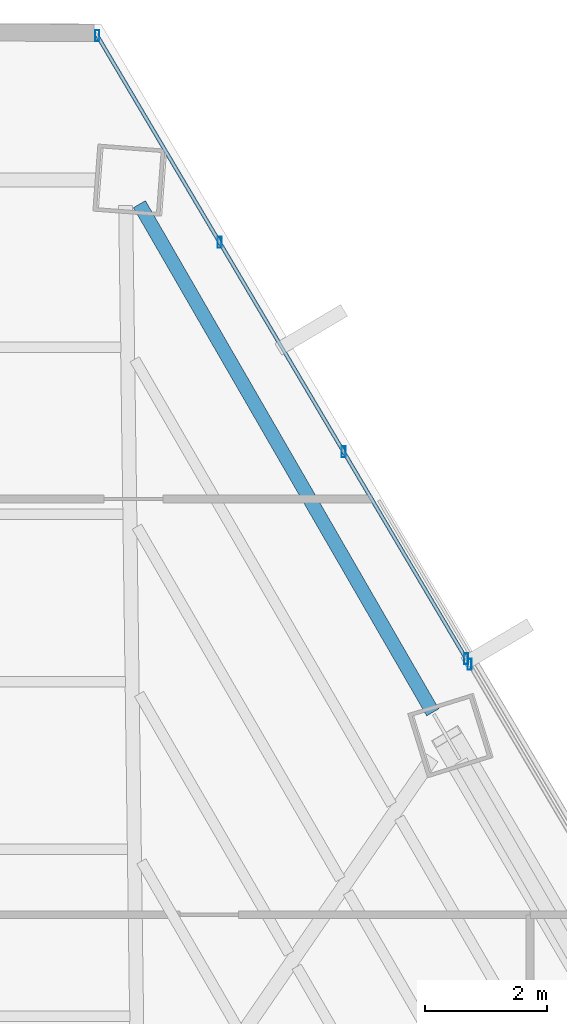
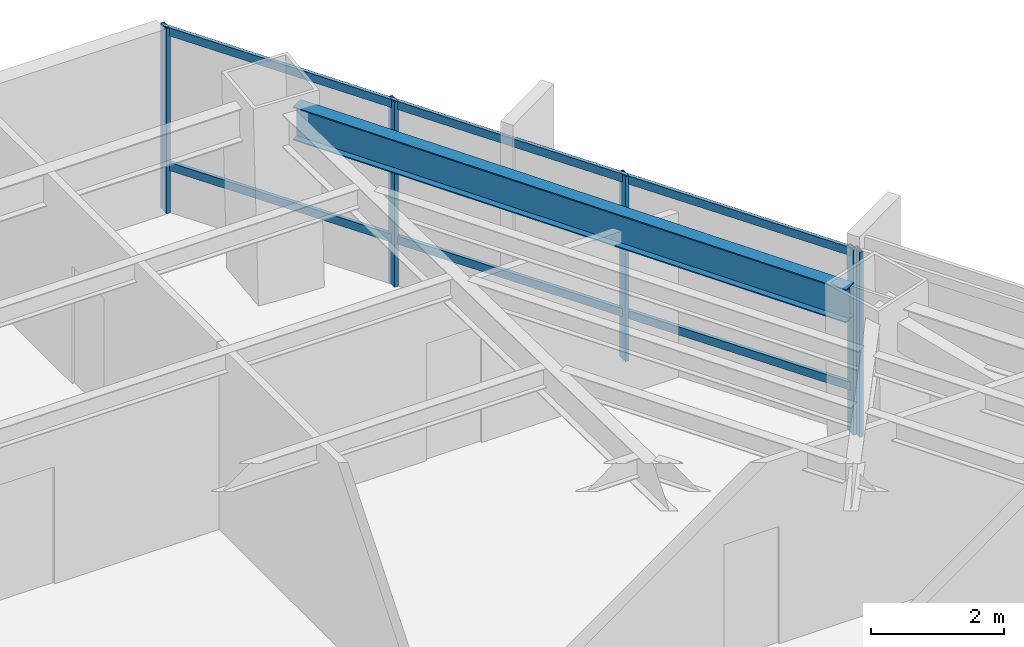
# One storey, part 27 of 35: 7 members, 1 beam, 2 elements without a shape of their own.
"""IFC4 building model written with IfcOpenShell, lengths in metres."""

from ifc_helpers import new_model, si_unit, direction, frame, origin, origin_2d, place, context, subcontext, project, spatial, hollow_rectangle, i_section, extrude, source, transform, mapped, material, material_profile, profile_set, type_object, type_shapes, element, aggregate, save


model = new_model("IFC4")

# Units and contexts
model_context = context("Model", 3, precision=1e-05, world=origin(), true_north=direction((0.0, 1.0)))
body_context = subcontext(model_context, "Body", "Model", "MODEL_VIEW")
ifc_project = project(units=[si_unit("LENGTHUNIT", "METRE"), si_unit("AREAUNIT", "SQUARE_METRE"), si_unit("VOLUMEUNIT", "CUBIC_METRE"), si_unit("PLANEANGLEUNIT", "RADIAN"), si_unit("MASSUNIT", "GRAM", prefix="KILO")], contexts=[model_context])

# Site, building, storey
site_placement = place(None, origin())
site = spatial("IfcSite", under=ifc_project, at=site_placement, CompositionType="ELEMENT")
building_placement = place(site_placement, origin())
building = spatial("IfcBuilding", under=site, at=building_placement, Name="Caelisora Broadcast Tower", CompositionType="ELEMENT")
storey_placement = place(building_placement, frame((0.0, 0.0, 109.050048828125)))
storey = spatial("IfcBuildingStorey", under=building, at=storey_placement, Name="L28", CompositionType="ELEMENT", Elevation=109.050048828125)

# Beam
ifc_material_1 = material(Name="Steel Grade 350 (AS/NZS 3679.1)", Category="steel")
ifc_material_profile_1 = material_profile(ifc_material_1, i_section(OverallWidth=0.22900390625, OverallDepth=0.611572265625, WebThickness=0.011962890625, FlangeThickness=0.01953125, at=origin_2d()), Name="Steel Grade 350 (AS/NZS 3679.1)")
ifc_profile_set_1 = profile_set([ifc_material_profile_1], Name="Steel Grade 350 (AS/NZS 3679.1)")
beam_type = type_object("IfcBeamType", Name="PG03", PredefinedType="BEAM", material=ifc_profile_set_1)
shared_shape_1 = source(origin(), body_context, "Body", "SweptSolid", [
    extrude(i_section(OverallWidth=0.22900390625, OverallDepth=0.611572265625, WebThickness=0.011962890625, FlangeThickness=0.01953125, at=origin_2d()), origin(), (0.0, 0.0, 1.0), 9.598876953125),
])
type_shapes(beam_type, [shared_shape_1])
beam_placement = place(storey_placement, frame((50.30810546875, 37.71044921875, 3.09423828125), z_axis=(-0.499985184529, 0.866033957331, 0.0), x_axis=(-0.866033957331, -0.499985184529, 0.0)))
element("IfcBeam", 1, at=beam_placement, inside=storey, type_object=beam_type, Name="L28 beam PG03", PredefinedType="BEAM", context=body_context, shape_type="MappedRepresentation", body=[
    mapped(shared_shape_1, transform((0.0, 0.0, 0.0), scale=1.0)),
])

# Curtain wall, members
ifc_material_2 = material(Name="Unitised Aluminium and Low-E Glass Curtain Wall", Category="glass")
curtain_wall_type_1 = type_object("IfcCurtainWallType", Name="CW-Z2", PredefinedType="NOTDEFINED", material=ifc_material_2)
curtain_wall_1_placement = place(storey_placement, origin())
curtain_wall_1 = element("IfcCurtainWall", 2, at=curtain_wall_1_placement, inside=storey, type_object=curtain_wall_type_1, Name="L28 curtain wall CW-Z2", PredefinedType="NOTDEFINED")
ifc_material_3 = material(Name="Aluminium 6063-T6 Anodised Terracotta Bronze", Category="aluminium")
ifc_material_profile_2 = material_profile(ifc_material_3, hollow_rectangle(XDim=0.06494140625, YDim=0.179931640625, WallThickness=0.00341796875, at=origin_2d()), Name="Aluminium 6063-T6 Anodised Terracotta Bronze")
ifc_profile_set_2 = profile_set([ifc_material_profile_2], Name="Aluminium 6063-T6 Anodised Terracotta Bronze")
member_type_1 = type_object("IfcMemberType", Name="CWM-02", PredefinedType="MULLION", material=ifc_profile_set_2)
shared_shape_2 = source(origin(), body_context, "Body", "SweptSolid", [
    extrude(hollow_rectangle(XDim=0.06494140625, YDim=0.179931640625, WallThickness=0.00341796875, at=origin_2d()), origin(), (0.0, 0.0, 1.0), 3.39990234375),
])
type_shapes(member_type_1, [shared_shape_2])
member_1_placement = place(storey_placement, frame((44.819580078125, 48.780029296875, 0.0), z_axis=(0.0, 0.0, 1.0), x_axis=(1.0, 0.0, 0.0)))
member_1 = element("IfcMember", 3, at=member_1_placement, type_object=member_type_1, Name="L28-CW-B01 mullion #0", PredefinedType="MULLION", context=body_context, shape_type="MappedRepresentation", body=[
    mapped(shared_shape_2, transform((0.0, 0.0, 0.0), scale=1.0)),
])
member_2_placement = place(storey_placement, frame((46.822509765625, 45.397216796875, 0.0), z_axis=(0.0, 0.0, 1.0), x_axis=(1.0, 0.0, 0.0)))
member_2 = element("IfcMember", 4, at=member_2_placement, type_object=member_type_1, Name="L28-CW-B01 mullion #1", PredefinedType="MULLION", context=body_context, shape_type="MappedRepresentation", body=[
    mapped(shared_shape_2, transform((0.0, 0.0, 0.0), scale=1.0)),
])
member_3_placement = place(storey_placement, frame((48.8505859375, 41.971435546875, 0.0), z_axis=(0.0, 0.0, 1.0), x_axis=(1.0, 0.0, 0.0)))
member_3 = element("IfcMember", 5, at=member_3_placement, type_object=member_type_1, Name="L28-CW-B01 mullion #2", PredefinedType="MULLION", context=body_context, shape_type="MappedRepresentation", body=[
    mapped(shared_shape_2, transform((0.0, 0.0, 0.0), scale=1.0)),
])
member_4_placement = place(storey_placement, frame((50.853515625, 38.588623046875, 0.0), z_axis=(0.0, 0.0, 1.0), x_axis=(1.0, 0.0, 0.0)))
member_4 = element("IfcMember", 6, at=member_4_placement, type_object=member_type_1, Name="L28-CW-B01 mullion #3", PredefinedType="MULLION", context=body_context, shape_type="MappedRepresentation", body=[
    mapped(shared_shape_2, transform((0.0, 0.0, 0.0), scale=1.0)),
])

# Curtain wall, member
ifc_material_4 = material(Name="Unitised Aluminium Insulated Shadow-Box Spandrel Curtain Wall", Category="aluminium")
curtain_wall_type_2 = type_object("IfcCurtainWallType", Name="CW-SP1", PredefinedType="NOTDEFINED", material=ifc_material_4)
curtain_wall_2_placement = place(storey_placement, origin())
curtain_wall_2 = element("IfcCurtainWall", 7, at=curtain_wall_2_placement, inside=storey, type_object=curtain_wall_type_2, Name="L28 curtain wall CW-SP1", PredefinedType="NOTDEFINED")
member_5_placement = place(storey_placement, frame((50.90966796875, 38.493896484375, 0.0), z_axis=(0.0, 0.0, 1.0), x_axis=(1.0, 0.0, 0.0)))
member_5 = element("IfcMember", 8, at=member_5_placement, type_object=member_type_1, Name="L28-CW-B02 mullion #0", PredefinedType="MULLION", context=body_context, shape_type="MappedRepresentation", body=[
    mapped(shared_shape_2, transform((0.0, 0.0, 0.0), scale=1.0)),
])
aggregate(curtain_wall_2, [member_5])

# Member
ifc_material_profile_3 = material_profile(ifc_material_3, hollow_rectangle(XDim=0.06005859375, YDim=0.14990234375, WallThickness=0.00341796875, at=origin_2d()), Name="Aluminium 6063-T6 Anodised Terracotta Bronze")
ifc_profile_set_3 = profile_set([ifc_material_profile_3], Name="Aluminium 6063-T6 Anodised Terracotta Bronze")
member_type_2 = type_object("IfcMemberType", Name="CWT-02", PredefinedType="USERDEFINED", material=ifc_profile_set_3)
shared_shape_3 = source(origin(), body_context, "Body", "SweptSolid", [
    extrude(hollow_rectangle(XDim=0.06005859375, YDim=0.14990234375, WallThickness=0.00341796875, at=origin_2d()), origin(), (0.0, 0.0, 1.0), 11.84375),
])
type_shapes(member_type_2, [shared_shape_3])
member_6_placement = place(storey_placement, frame((44.819580078125, 48.780029296875, 0.849853515625), z_axis=(0.509463891004, -0.860492035851, 0.0), x_axis=(0.860492035851, 0.509463891004, 0.0)))
member_6 = element("IfcMember", 9, at=member_6_placement, type_object=member_type_2, Name="L28-CW-B01 transom #1", ObjectType="TRANSOM", PredefinedType="USERDEFINED", context=body_context, shape_type="MappedRepresentation", body=[
    mapped(shared_shape_3, transform((0.0, 0.0, 0.0), scale=1.0)),
])

member_7_placement = place(storey_placement, frame((44.819580078125, 48.780029296875, 3.320068359375), z_axis=(0.509463891004, -0.860492035851, 0.0), x_axis=(0.860492035851, 0.509463891004, 0.0)))
member_7 = element("IfcMember", 10, at=member_7_placement, type_object=member_type_2, Name="L28-CW-B01 transom #2", ObjectType="TRANSOM", PredefinedType="USERDEFINED", context=body_context, shape_type="MappedRepresentation", body=[
    mapped(shared_shape_3, transform((0.0, 0.0, 0.0), scale=1.0)),
])

aggregate(curtain_wall_1, [member_1, member_2, member_3, member_4, member_6, member_7])

save(model, "model.ifc")
